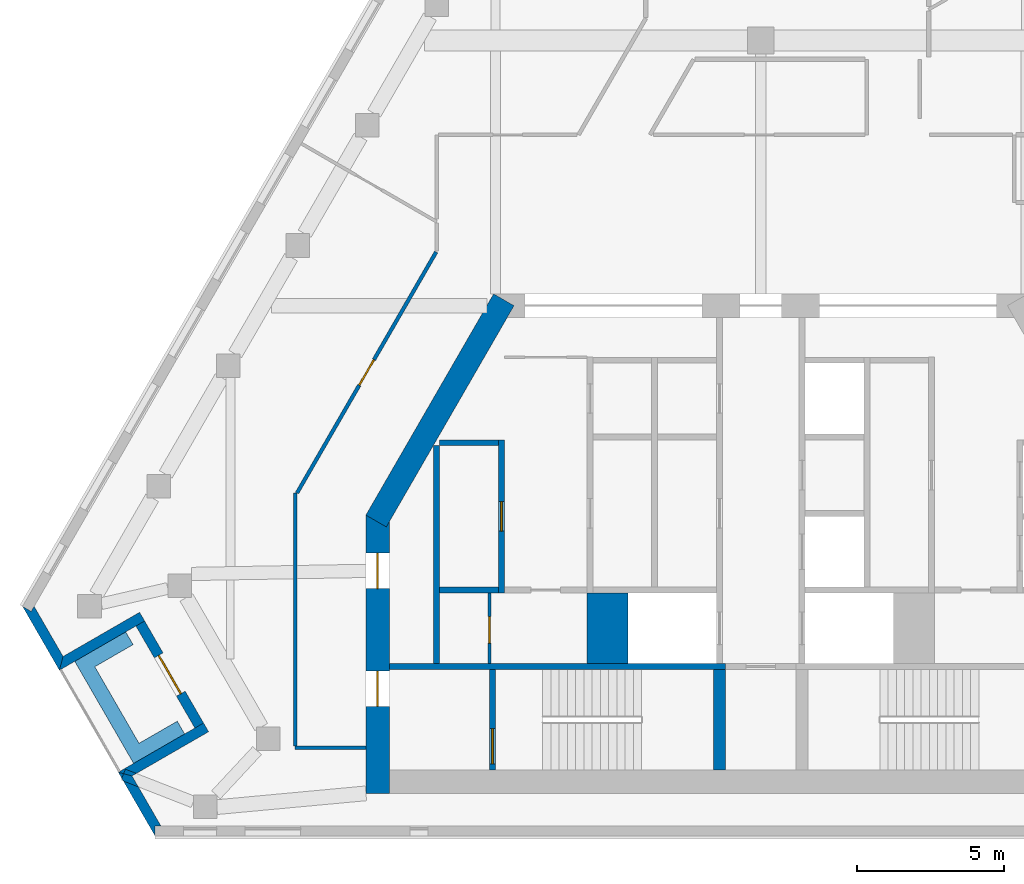
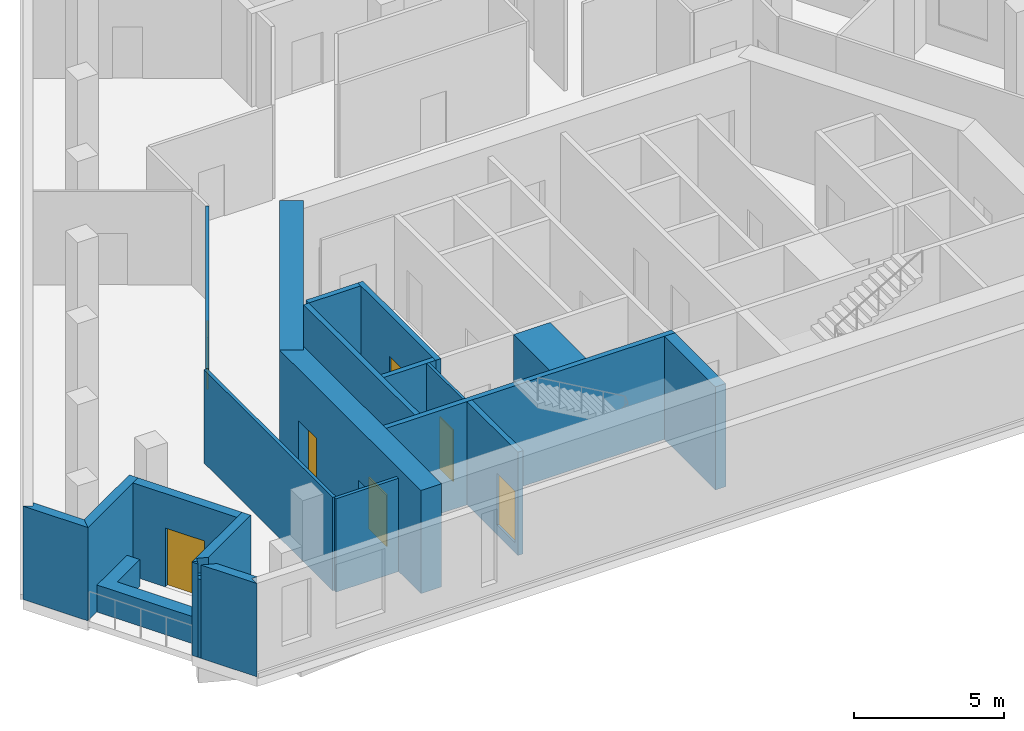
# One storey, part 2 of 8: 23 walls, 7 doors, 7 openings.
"""IFC4 building model written with IfcOpenShell, lengths in metres."""

from ifc_helpers import new_model, si_unit, direction, frame, frame_2d, origin, place, context, subcontext, project, spatial, polyline, rectangle, outline, extrude, material, layer, layer_set, type_object, element, fill, save


model = new_model("IFC4")

# Units and contexts
model_context = context("Model", 3, precision=1e-05, world=origin(), true_north=direction((0.0, 1.0)))
body_context = subcontext(model_context, "Body", "Model", "MODEL_VIEW")
ifc_project = project(units=[si_unit("LENGTHUNIT", "METRE"), si_unit("AREAUNIT", "SQUARE_METRE"), si_unit("VOLUMEUNIT", "CUBIC_METRE"), si_unit("PLANEANGLEUNIT", "RADIAN"), si_unit("MASSUNIT", "GRAM", prefix="KILO")], contexts=[model_context])

# Site, building, storey
site_placement = place(None, origin())
site = spatial("IfcSite", under=ifc_project, at=site_placement, CompositionType="ELEMENT")
building_placement = place(site_placement, origin())
building = spatial("IfcBuilding", under=site, at=building_placement, Name="Fogline Exchange Tower", CompositionType="ELEMENT")
storey_placement = place(building_placement, frame((0.0, 0.0, 300.300048828125)))
storey = spatial("IfcBuildingStorey", under=building, at=storey_placement, Name="L68", CompositionType="ELEMENT", Elevation=300.300048828125)

# Wall, opening, door
ifc_material_1 = material(Name="Blockwork partition", Category="masonry")
ifc_layer_1 = layer(ifc_material_1, 0.10009765625)
ifc_layer_set_1 = layer_set([ifc_layer_1], Name="CW10")
wall_type_1 = type_object("IfcWallType", Name="CW10", PredefinedType="PARTITIONING", material=ifc_layer_set_1)
wall_1_placement = place(storey_placement, frame((-9.199951171875, 5.85009765625, 0.0), z_axis=(0.0, 0.0, 1.0), x_axis=(0.0, 1.0, 0.0)))
wall_1 = element("IfcWall", 1, at=wall_1_placement, inside=storey, type_object=wall_type_1, Name="WC partition", PredefinedType="PARTITIONING", context=body_context, shape_type="SweptSolid", body=[
    extrude(rectangle(XDim=2.39990234375, YDim=0.10009765625, at=frame_2d((1.199951171875, 0.0))), origin(), (0.0, 0.0, 1.0), 3.800048828125),
])
opening_1_placement = place(wall_1_placement, frame((0.699951171875, 0.0, 0.0)))
opening_1 = element("IfcOpeningElement", 2, at=opening_1_placement, cuts=wall_1, Name="Opening T21-C011", PredefinedType="OPENING", context=body_context, shape_type="SweptSolid", body=[
    extrude(rectangle(XDim=0.89990234375, YDim=2.10009765625, at=frame_2d((0.449951171875, 1.050048828125))), frame((0.0, 0.06005859375, 0.0), z_axis=(0.0, -1.0, 0.0), x_axis=(1.0, 0.0, 0.0)), (0.0, 0.0, 1.0), 0.1201171875),
])
ifc_material_2 = material(Name="Steel and timber fire door", Category="steel")
door_type_1 = type_object("IfcDoorType", Name="D-CS1", OperationType="SINGLE_SWING_RIGHT", PredefinedType="DOOR", material=ifc_material_2)
door_1_placement = place(opening_1_placement, origin())
door_1 = element("IfcDoor", 3, at=door_1_placement, inside=storey, type_object=door_type_1, Name="Door to Cleaner's Store", OperationType="SINGLE_SWING_LEFT", OverallHeight=2.10009765625, OverallWidth=0.89990234375, PredefinedType="DOOR", context=body_context, shape_type="SweptSolid", body=[
    extrude(rectangle(XDim=0.89990234375, YDim=2.10009765625, at=frame_2d((0.449951171875, 1.050048828125))), frame((0.0, 0.02490234375, 0.0), z_axis=(0.0, -1.0, 0.0), x_axis=(1.0, 0.0, 0.0)), (0.0, 0.0, 1.0), 0.050048828125),
])
fill(opening_1, door_1)

# Walls
ifc_material_3 = material(Name="Concrete C60", Category="concrete")
ifc_layer_2 = layer(ifc_material_3, 1.39990234375)
ifc_layer_set_2 = layer_set([ifc_layer_2], Name="CW140")
wall_type_2 = type_object("IfcWallType", Name="CW140", PredefinedType="SOLIDWALL", material=ifc_layer_set_2)
wall_2_placement = place(storey_placement, frame((-5.199951171875, 5.85009765625, -0.400146484375), z_axis=(0.0, 0.0, 1.0), x_axis=(0.0, 1.0, 0.0)))
element("IfcWall", 4, at=wall_2_placement, inside=storey, type_object=wall_type_2, Name="Lift shaft block wall", PredefinedType="SOLIDWALL", context=body_context, shape_type="SweptSolid", body=[
    extrude(rectangle(XDim=2.39990234375, YDim=1.39990234375, at=frame_2d((1.199951171875, 0.0))), origin(), (0.0, 0.0, 1.0), 4.2001953125),
])
ifc_material_4 = material(Name="Concrete C40", Category="concrete")
ifc_layer_3 = layer(ifc_material_4, 0.199951171875)
ifc_layer_set_3 = layer_set([ifc_layer_3], Name="CW20")
wall_type_3 = type_object("IfcWallType", Name="CW20", PredefinedType="SOLIDWALL", material=ifc_layer_set_3)
wall_3_placement = place(storey_placement, frame((-11.0, 5.85009765625, 0.0), z_axis=(0.0, 0.0, 1.0), x_axis=(0.0, 1.0, 0.0)))
element("IfcWall", 5, at=wall_3_placement, inside=storey, type_object=wall_type_3, Name="Service room wall", PredefinedType="SOLIDWALL", context=body_context, shape_type="SweptSolid", body=[
    extrude(rectangle(XDim=7.39990234375, YDim=0.199951171875, at=frame_2d((3.699951171875, 0.0))), origin(), (0.0, 0.0, 1.0), 3.800048828125),
])
ifc_layer_4 = layer(ifc_material_4, 0.199951171875)
ifc_layer_set_4 = layer_set([ifc_layer_4], Name="CW20R")
wall_type_4 = type_object("IfcWallType", Name="CW20R", PredefinedType="SOLIDWALL", material=ifc_layer_set_4)
wall_4_placement = place(storey_placement, frame((-12.60009765625, 5.75, -0.400146484375), z_axis=(0.0, 0.0, 1.0), x_axis=(1.0, 0.0, 0.0)))
element("IfcWall", 6, at=wall_4_placement, inside=storey, type_object=wall_type_4, Name="Stair enclosure wall", PredefinedType="SOLIDWALL", context=body_context, shape_type="SweptSolid", body=[
    extrude(rectangle(XDim=11.400146484375, YDim=0.199951171875, at=frame_2d((5.7001953125, 0.0))), origin(), (0.0, 0.0, 1.0), 4.2001953125),
])

# Wall, opening, door
wall_5_placement = place(storey_placement, frame((-9.10009765625, 2.25, -0.400146484375), z_axis=(0.0, 0.0, 1.0), x_axis=(0.0, 1.0, 0.0)))
wall_5 = element("IfcWall", 7, at=wall_5_placement, inside=storey, type_object=wall_type_4, Name="Stair enclosure wall", PredefinedType="SOLIDWALL", context=body_context, shape_type="SweptSolid", body=[
    extrude(rectangle(XDim=3.39990234375, YDim=0.199951171875, at=frame_2d((1.699951171875, 0.0))), origin(), (0.0, 0.0, 1.0), 4.2001953125),
])
opening_2_placement = place(wall_5_placement, frame((0.199951171875, 0.0, 0.39990234375)))
opening_2 = element("IfcOpeningElement", 8, at=opening_2_placement, cuts=wall_5, Name="Opening T21-C013", PredefinedType="OPENING", context=body_context, shape_type="SweptSolid", body=[
    extrude(rectangle(XDim=1.199951171875, YDim=2.10009765625, at=frame_2d((0.60009765625, 1.050048828125))), frame((0.0, 0.10986328125, 0.0), z_axis=(0.0, -1.0, 0.0), x_axis=(1.0, 0.0, 0.0)), (0.0, 0.0, 1.0), 0.219970703125),
])
door_type_2 = type_object("IfcDoorType", Name="D-ST1", OperationType="SINGLE_SWING_LEFT", PredefinedType="DOOR", material=ifc_material_2)
door_2_placement = place(opening_2_placement, frame((1.199951171875, 0.0, 0.0), z_axis=(0.0, 0.0, 1.0), x_axis=(-1.0, 0.0, 0.0)))
door_2 = element("IfcDoor", 9, at=door_2_placement, inside=storey, type_object=door_type_2, Name="Stair door ST1", OperationType="SINGLE_SWING_RIGHT", OverallHeight=2.10009765625, OverallWidth=1.199951171875, PredefinedType="DOOR", context=body_context, shape_type="SweptSolid", body=[
    extrude(rectangle(XDim=1.199951171875, YDim=2.10009765625, at=frame_2d((0.60009765625, 1.050048828125))), frame((0.0, 0.02490234375, 0.0), z_axis=(0.0, -1.0, 0.0), x_axis=(1.0, 0.0, 0.0)), (0.0, 0.0, 1.0), 0.050048828125),
])
fill(opening_2, door_2)

ifc_layer_5 = layer(ifc_material_4, 0.199951171875)
ifc_layer_set_5 = layer_set([ifc_layer_5], Name="CW20S")
wall_type_5 = type_object("IfcWallType", Name="CW20S", PredefinedType="SOLIDWALL", material=ifc_layer_set_5)
wall_6_placement = place(storey_placement, frame((-8.800048828125, 8.25, -0.400146484375), z_axis=(0.0, 0.0, 1.0), x_axis=(0.0, 1.0, 0.0)))
wall_6 = element("IfcWall", 10, at=wall_6_placement, inside=storey, type_object=wall_type_5, Name="Lift shaft wall", PredefinedType="SOLIDWALL", context=body_context, shape_type="SweptSolid", body=[
    extrude(rectangle(XDim=5.199951171875, YDim=0.199951171875, at=frame_2d((2.60009765625, 0.0))), origin(), (0.0, 0.0, 1.0), 4.2001953125),
])
opening_3_placement = place(wall_6_placement, frame((2.10009765625, 0.0, 0.39990234375)))
opening_3 = element("IfcOpeningElement", 11, at=opening_3_placement, cuts=wall_6, Name="Opening T21-C001", PredefinedType="OPENING", context=body_context, shape_type="SweptSolid", body=[
    extrude(rectangle(XDim=1.0, YDim=2.10009765625, at=frame_2d((0.5, 1.050048828125))), frame((0.0, 0.10986328125, 0.0), z_axis=(0.0, -1.0, 0.0), x_axis=(1.0, 0.0, 0.0)), (0.0, 0.0, 1.0), 0.219970703125),
])
door_type_3 = type_object("IfcDoorType", Name="D-RM1", OperationType="SINGLE_SWING_LEFT", PredefinedType="DOOR", material=ifc_material_2)
door_3_placement = place(opening_3_placement, origin())
door_3 = element("IfcDoor", 12, at=door_3_placement, inside=storey, type_object=door_type_3, Name="Door to Archive Room", OperationType="SINGLE_SWING_RIGHT", OverallHeight=2.10009765625, OverallWidth=1.0, PredefinedType="DOOR", context=body_context, shape_type="SweptSolid", body=[
    extrude(rectangle(XDim=1.0, YDim=2.10009765625, at=frame_2d((0.5, 1.050048828125))), frame((0.0, 0.02490234375, 0.0), z_axis=(0.0, -1.0, 0.0), x_axis=(1.0, 0.0, 0.0)), (0.0, 0.0, 1.0), 0.050048828125),
])
fill(opening_3, door_3)

# Walls
for number, where, z_axis, x_axis, name in (
    (13, (-10.89990234375, 8.35009765625, -0.400146484375), (0.0, 0.0, 1.0), (1.0, 0.0, 0.0), "Lift shaft wall"),
    (14, (-10.89990234375, 13.35009765625, -0.400146484375), (0.0, 0.0, 1.0), (1.0, 0.0, 0.0), "Lift shaft wall"),
):
    element("IfcWall", number, at=place(storey_placement, frame(where, z_axis=z_axis, x_axis=x_axis)), inside=storey, type_object=wall_type_5, Name=name, PredefinedType="SOLIDWALL", context=body_context, shape_type="SweptSolid", body=[
        extrude(rectangle(XDim=2.0, YDim=0.199951171875, at=frame_2d((1.0, 0.0))), origin(), (0.0, 0.0, 1.0), 4.2001953125),
    ])
ifc_layer_6 = layer(ifc_material_4, 0.39990234375)
ifc_layer_set_6 = layer_set([ifc_layer_6], Name="CW40R")
wall_type_6 = type_object("IfcWallType", Name="CW40R", PredefinedType="SOLIDWALL", material=ifc_layer_set_6)
wall_7_placement = place(storey_placement, frame((-1.39990234375, 2.25, -0.400146484375), z_axis=(0.0, 0.0, 1.0), x_axis=(0.0, 1.0, 0.0)))
element("IfcWall", 15, at=wall_7_placement, inside=storey, type_object=wall_type_6, Name="Stair and lift shaft wall", PredefinedType="SOLIDWALL", context=body_context, shape_type="SweptSolid", body=[
    extrude(rectangle(XDim=3.39990234375, YDim=0.39990234375, at=frame_2d((1.699951171875, 0.0))), origin(), (0.0, 0.0, 1.0), 4.2001953125),
])
ifc_material_5 = material(Name="Brick masonry", Category="masonry")
ifc_layer_7 = layer(ifc_material_5, 0.340087890625)
ifc_layer_set_7 = layer_set([ifc_layer_7], Name="FW1")
wall_type_7 = type_object("IfcWallType", Name="FW1", PredefinedType="SOLIDWALL", material=ifc_layer_set_7)
wall_8_placement = place(storey_placement, origin())
element("IfcWall", 16, at=wall_8_placement, inside=storey, type_object=wall_type_7, Name="Brick wall L68 SW-c1", PredefinedType="SOLIDWALL", context=body_context, shape_type="SweptSolid", body=[
    extrude(outline(polyline([(-23.80224609375, 5.6279296875), (-25.05322265625, 7.794921875), (-25.052734375, 7.79541015625), (-24.758056640625, 7.625), (-24.65966796875, 7.79541015625), (-23.677001953125, 6.09375), (-23.8017578125, 5.6279296875), (-23.80224609375, 5.6279296875)])), origin(), (0.0, 0.0, 1.0), 3.800048828125),
])
wall_9_placement = place(storey_placement, origin())
element("IfcWall", 17, at=wall_9_placement, inside=storey, type_object=wall_type_7, Name="Brick wall L68 SW-s1", PredefinedType="SOLIDWALL", context=body_context, shape_type="SweptSolid", body=[
    extrude(outline(polyline([(-21.079345703125, 7.594482421875), (-20.908935546875, 7.298828125), (-21.203857421875, 7.128662109375), (-23.802734375, 5.628173828125), (-23.802978515625, 5.62841796875), (-23.67822265625, 6.093994140625), (-21.079345703125, 7.594482421875)])), origin(), (0.0, 0.0, 1.0), 3.800048828125),
])

# Wall, opening, door
wall_10_placement = place(storey_placement, frame((-21.056884765625, 7.214111328125, 0.0), z_axis=(0.0, 0.0, 1.0), x_axis=(0.49999894854, -0.866026010844, 0.0)))
wall_10 = element("IfcWall", 18, at=wall_10_placement, inside=storey, type_object=wall_type_7, Name="Brick wall L68 SW-bk", PredefinedType="SOLIDWALL", context=body_context, shape_type="SweptSolid", body=[
    extrude(rectangle(XDim=4.0, YDim=0.340087890625, at=frame_2d((2.0, 0.0))), origin(), (0.0, 0.0, 1.0), 3.800048828125),
])
opening_4_placement = place(wall_10_placement, frame((1.25, 0.0, 0.0)))
opening_4 = element("IfcOpeningElement", 19, at=opening_4_placement, cuts=wall_10, Name="Opening T21-E021", PredefinedType="OPENING", context=body_context, shape_type="SweptSolid", body=[
    extrude(rectangle(XDim=1.5, YDim=2.39990234375, at=frame_2d((0.75, 1.199951171875))), frame((0.0, 0.18017578125, 0.0), z_axis=(0.0, -1.0, 0.0), x_axis=(1.0, 0.0, 0.0)), (0.0, 0.0, 1.0), 0.360107421875),
])
ifc_material_6 = material(Name="Aluminium and glass", Category="aluminium")
door_type_4 = type_object("IfcDoorType", Name="ED4", OperationType="SINGLE_SWING_LEFT", PredefinedType="DOOR", material=ifc_material_6)
door_4_placement = place(opening_4_placement, frame((1.5, 0.0, 0.0), z_axis=(0.0, 0.0, 1.0), x_axis=(-1.0, 0.0, 0.0)))
door_4 = element("IfcDoor", 20, at=door_4_placement, inside=storey, type_object=door_type_4, Name="Balcony door L68 SW", OperationType="DOUBLE_DOOR_SINGLE_SWING", OverallHeight=2.39990234375, OverallWidth=1.5, PredefinedType="DOOR", context=body_context, shape_type="SweptSolid", body=[
    extrude(rectangle(XDim=1.5, YDim=2.39990234375, at=frame_2d((0.75, 1.199951171875))), frame((0.0, 0.02490234375, 0.0), z_axis=(0.0, -1.0, 0.0), x_axis=(1.0, 0.0, 0.0)), (0.0, 0.0, 1.0), 0.050048828125),
])
fill(opening_4, door_4)

# Walls
wall_11_placement = place(storey_placement, origin())
element("IfcWall", 21, at=wall_11_placement, inside=storey, type_object=wall_type_7, Name="Brick wall L68 SW-s2", PredefinedType="SOLIDWALL", context=body_context, shape_type="SweptSolid", body=[
    extrude(outline(polyline([(-21.337646484375, 2.0400390625), (-21.622314453125, 2.1162109375), (-21.56201171875, 2.2705078125), (-21.18994140625, 2.125244140625), (-21.337646484375, 2.0400390625)])), origin(), (0.0, 0.0, 1.0), 3.199951171875),
])
wall_12_placement = place(storey_placement, origin())
element("IfcWall", 22, at=wall_12_placement, inside=storey, type_object=wall_type_7, Name="Brick wall L68 SW-s2", PredefinedType="SOLIDWALL", context=body_context, shape_type="SweptSolid", body=[
    extrude(outline(polyline([(-19.204345703125, 3.66552734375), (-18.909423828125, 3.8359375), (-18.73876953125, 3.540283203125), (-21.18994140625, 2.125244140625), (-21.56201171875, 2.2705078125), (-21.622314453125, 2.1162109375), (-21.803466796875, 2.164794921875), (-21.803466796875, 2.1650390625), (-19.204345703125, 3.66552734375)])), origin(), (0.0, 0.0, 1.0), 3.800048828125),
])
wall_13_placement = place(storey_placement, origin())
element("IfcWall", 23, at=wall_13_placement, inside=storey, type_object=wall_type_7, Name="Brick wall L68 SW-c2", PredefinedType="SOLIDWALL", context=body_context, shape_type="SweptSolid", body=[
    extrude(outline(polyline([(-21.683837890625, 1.958740234375), (-21.621826171875, 2.117431640625), (-21.33740234375, 2.041015625), (-21.122802734375, 1.66943359375), (-21.63134765625, 1.8681640625), (-21.683837890625, 1.958740234375)])), origin(), (0.0, 0.0, 1.0), 3.199951171875),
])
wall_14_placement = place(storey_placement, origin())
element("IfcWall", 24, at=wall_14_placement, inside=storey, type_object=wall_type_7, Name="Brick wall L68 SW-c2", PredefinedType="SOLIDWALL", context=body_context, shape_type="SweptSolid", body=[
    extrude(outline(polyline([(-20.551513671875, 0.33935546875), (-20.551513671875, -0.0009765625), (-20.55224609375, -0.001220703125), (-21.63134765625, 1.8681640625), (-21.122802734375, 1.66943359375), (-20.354736328125, 0.33935546875), (-20.551513671875, 0.33935546875)])), origin(), (0.0, 0.0, 1.0), 3.800048828125),
])
wall_15_placement = place(storey_placement, origin())
element("IfcWall", 25, at=wall_15_placement, inside=storey, type_object=wall_type_7, Name="Brick wall L68 SW-c2", PredefinedType="SOLIDWALL", context=body_context, shape_type="SweptSolid", body=[
    extrude(outline(polyline([(-21.80322265625, 2.165771484375), (-21.802978515625, 2.166015625), (-21.621826171875, 2.117431640625), (-21.683837890625, 1.958740234375), (-21.80322265625, 2.165771484375)])), origin(), (0.0, 0.0, 1.0), 3.800048828125),
])
ifc_material_7 = material(Name="Concrete C30", Category="concrete")
ifc_layer_8 = layer(ifc_material_7, 0.199951171875)
ifc_layer_set_8 = layer_set([ifc_layer_8], Name="PL1")
wall_type_8 = type_object("IfcWallType", Name="PL1", PredefinedType="USERDEFINED", material=ifc_layer_set_8)
wall_16_placement = place(storey_placement, origin())
element("IfcWall", 26, at=wall_16_placement, inside=storey, type_object=wall_type_8, Name="PLANTER balcony L68 SW", ObjectType="PLANTER", PredefinedType="USERDEFINED", context=body_context, shape_type="SweptSolid", body=[
    extrude(outline(polyline([(-19.800537109375, 3.898193359375), (-21.099609375, 3.148193359375), (-22.599609375, 5.74609375), (-21.300537109375, 6.49609375), (-21.550537109375, 6.92919921875), (-23.28271484375, 5.92919921875), (-21.28271484375, 2.465087890625), (-20.849609375, 2.715087890625), (-20.849609375, 2.715087890625), (-19.550537109375, 3.465087890625), (-19.800537109375, 3.898193359375)])), origin(), (0.0, 0.0, 1.0), 1.099853515625),
])
ifc_material_8 = material(Name="Plasterboard corridor partition with mineral wool, 2 layers each side")
ifc_layer_9 = layer(ifc_material_8, 0.125)
ifc_layer_set_9 = layer_set([ifc_layer_9], Name="PW2")
wall_type_9 = type_object("IfcWallType", Name="PW2", PredefinedType="PARTITIONING", material=ifc_layer_set_9)
wall_17_placement = place(storey_placement, frame((-13.39990234375, 3.0, 0.0), z_axis=(0.0, 0.0, 1.0), x_axis=(-1.0, 0.0, 0.0)))
element("IfcWall", 27, at=wall_17_placement, inside=storey, type_object=wall_type_9, Name="wall-L68-W013", PredefinedType="PARTITIONING", context=body_context, shape_type="SweptSolid", body=[
    extrude(rectangle(XDim=2.400146484375, YDim=0.125, at=frame_2d((1.2001953125, 0.0))), origin(), (0.0, 0.0, 1.0), 3.800048828125),
])
wall_18_placement = place(storey_placement, frame((-15.800048828125, 3.0625, 0.0), z_axis=(0.0, 0.0, 1.0), x_axis=(0.0, 1.0, 0.0)))
element("IfcWall", 28, at=wall_18_placement, inside=storey, type_object=wall_type_9, Name="wall-L68-W014", PredefinedType="PARTITIONING", context=body_context, shape_type="SweptSolid", body=[
    extrude(rectangle(XDim=8.5810546875, YDim=0.125, at=frame_2d((4.29052734375, 0.0))), origin(), (0.0, 0.0, 1.0), 3.800048828125),
])

# Wall, opening, door
wall_19_placement = place(storey_placement, frame((-15.737548828125, 11.643310546875, 0.0), z_axis=(0.0, 0.0, 1.0), x_axis=(0.500017851522, 0.866015096958, 0.0)))
wall_19 = element("IfcWall", 29, at=wall_19_placement, inside=storey, type_object=wall_type_9, Name="wall-L68-W015", PredefinedType="PARTITIONING", context=body_context, shape_type="SweptSolid", body=[
    extrude(rectangle(XDim=9.443603515625, YDim=0.125, at=frame_2d((4.7216796875, 0.0))), origin(), (0.0, 0.0, 1.0), 3.800048828125),
])
opening_5_placement = place(wall_19_placement, frame((4.221923828125, 0.0, 0.0)))
opening_5 = element("IfcOpeningElement", 30, at=opening_5_placement, cuts=wall_19, Name="Opening T21-D006", PredefinedType="OPENING", context=body_context, shape_type="SweptSolid", body=[
    extrude(rectangle(XDim=1.0, YDim=2.10009765625, at=frame_2d((0.5, 1.050048828125))), frame((0.0, 0.072509765625, 0.0), z_axis=(0.0, -1.0, 0.0), x_axis=(1.0, 0.0, 0.0)), (0.0, 0.0, 1.0), 0.14501953125),
])
ifc_material_9 = material(Name="Fire-rated timber door leaf with steel frame", Category="steel")
door_type_5 = type_object("IfcDoorType", Name="D3", OperationType="SINGLE_SWING_LEFT", PredefinedType="DOOR", material=ifc_material_9)
door_5_placement = place(opening_5_placement, origin())
door_5 = element("IfcDoor", 31, at=door_5_placement, inside=storey, type_object=door_type_5, Name="door-L68-D006", OperationType="SINGLE_SWING_LEFT", OverallHeight=2.10009765625, OverallWidth=1.0, PredefinedType="DOOR", context=body_context, shape_type="SweptSolid", body=[
    extrude(rectangle(XDim=1.0, YDim=2.10009765625, at=frame_2d((0.5, 1.050048828125))), frame((0.0, 0.02490234375, 0.0), z_axis=(0.0, -1.0, 0.0), x_axis=(1.0, 0.0, 0.0)), (0.0, 0.0, 1.0), 0.050048828125),
])
fill(opening_5, door_5)

# Wall
ifc_material_10 = material(Name="Concrete C50", Category="concrete")
ifc_layer_10 = layer(ifc_material_10, 0.800048828125)
ifc_layer_set_10 = layer_set([ifc_layer_10], Name="SW04")
wall_type_10 = type_object("IfcWallType", Name="SW04", PredefinedType="SHEAR", material=ifc_layer_set_10)
wall_20_placement = place(storey_placement, frame((-8.71875, 18.199951171875, 0.0), z_axis=(0.0, 0.0, 1.0), x_axis=(-0.500015780397, -0.866016292776, 0.0)))
element("IfcWall", 32, at=wall_20_placement, inside=storey, type_object=wall_type_10, Name="L68-W905", PredefinedType="SHEAR", context=body_context, shape_type="SweptSolid", body=[
    extrude(rectangle(XDim=8.669677734375, YDim=0.800048828125, at=frame_2d((4.3349609375, 0.0))), origin(), (0.0, 0.0, 1.0), 4.199951171875),
])

# Wall, openings, doors
wall_21_placement = place(storey_placement, frame((-13.0, 10.891845703125, 0.0), z_axis=(0.0, 0.0, 1.0), x_axis=(0.0, -1.0, 0.0)))
wall_21 = element("IfcWall", 33, at=wall_21_placement, inside=storey, type_object=wall_type_10, Name="L68-W906", PredefinedType="SHEAR", context=body_context, shape_type="SweptSolid", body=[
    extrude(rectangle(XDim=9.44189453125, YDim=0.800048828125, at=frame_2d((4.720947265625, 0.0))), origin(), (0.0, 0.0, 1.0), 4.199951171875),
])
opening_6_placement = place(wall_21_placement, frame((5.291748046875, 0.0, 0.0)))
opening_6 = element("IfcOpeningElement", 34, at=opening_6_placement, cuts=wall_21, Name="Opening T21-C012", PredefinedType="OPENING", context=body_context, shape_type="SweptSolid", body=[
    extrude(rectangle(XDim=1.199951171875, YDim=2.10009765625, at=frame_2d((0.60009765625, 1.050048828125))), frame((0.0, 0.41015625, 0.0), z_axis=(0.0, -1.0, 0.0), x_axis=(1.0, 0.0, 0.0)), (0.0, 0.0, 1.0), 0.820068359375),
])
opening_7_placement = place(wall_21_placement, frame((1.291748046875, 0.0, 0.0)))
opening_7 = element("IfcOpeningElement", 35, at=opening_7_placement, cuts=wall_21, Name="Opening T21-C014", PredefinedType="OPENING", context=body_context, shape_type="SweptSolid", body=[
    extrude(rectangle(XDim=1.199951171875, YDim=2.10009765625, at=frame_2d((0.60009765625, 1.050048828125))), frame((0.0, 0.41015625, 0.0), z_axis=(0.0, -1.0, 0.0), x_axis=(1.0, 0.0, 0.0)), (0.0, 0.0, 1.0), 0.820068359375),
])
door_type_6 = type_object("IfcDoorType", Name="D-FR1", OperationType="SINGLE_SWING_RIGHT", PredefinedType="DOOR", material=ifc_material_2)
door_6_placement = place(opening_6_placement, origin())
door_6 = element("IfcDoor", 36, at=door_6_placement, inside=storey, type_object=door_type_6, Name="Front room door ST1", OperationType="SINGLE_SWING_LEFT", OverallHeight=2.10009765625, OverallWidth=1.199951171875, PredefinedType="DOOR", context=body_context, shape_type="SweptSolid", body=[
    extrude(rectangle(XDim=1.199951171875, YDim=2.10009765625, at=frame_2d((0.60009765625, 1.050048828125))), frame((0.0, 0.02490234375, 0.0), z_axis=(0.0, -1.0, 0.0), x_axis=(1.0, 0.0, 0.0)), (0.0, 0.0, 1.0), 0.050048828125),
])
fill(opening_6, door_6)
door_type_7 = type_object("IfcDoorType", Name="D-SV1", OperationType="SINGLE_SWING_LEFT", PredefinedType="DOOR", material=ifc_material_2)
door_7_placement = place(opening_7_placement, origin())
door_7 = element("IfcDoor", 37, at=door_7_placement, inside=storey, type_object=door_type_7, Name="Service door W", OperationType="SINGLE_SWING_LEFT", OverallHeight=2.10009765625, OverallWidth=1.199951171875, PredefinedType="DOOR", context=body_context, shape_type="SweptSolid", body=[
    extrude(rectangle(XDim=1.199951171875, YDim=2.10009765625, at=frame_2d((0.60009765625, 1.050048828125))), frame((0.0, 0.02490234375, 0.0), z_axis=(0.0, -1.0, 0.0), x_axis=(1.0, 0.0, 0.0)), (0.0, 0.0, 1.0), 0.050048828125),
])
fill(opening_7, door_7)

save(model, "model.ifc")
